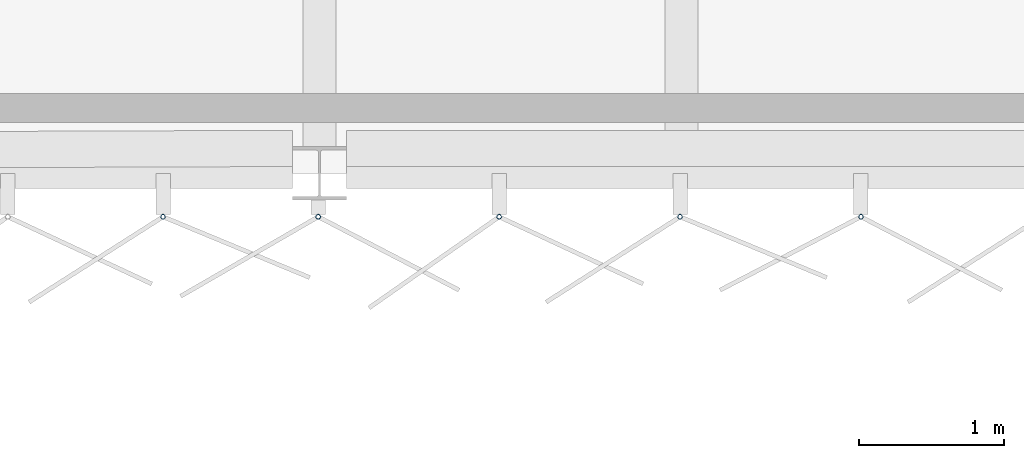
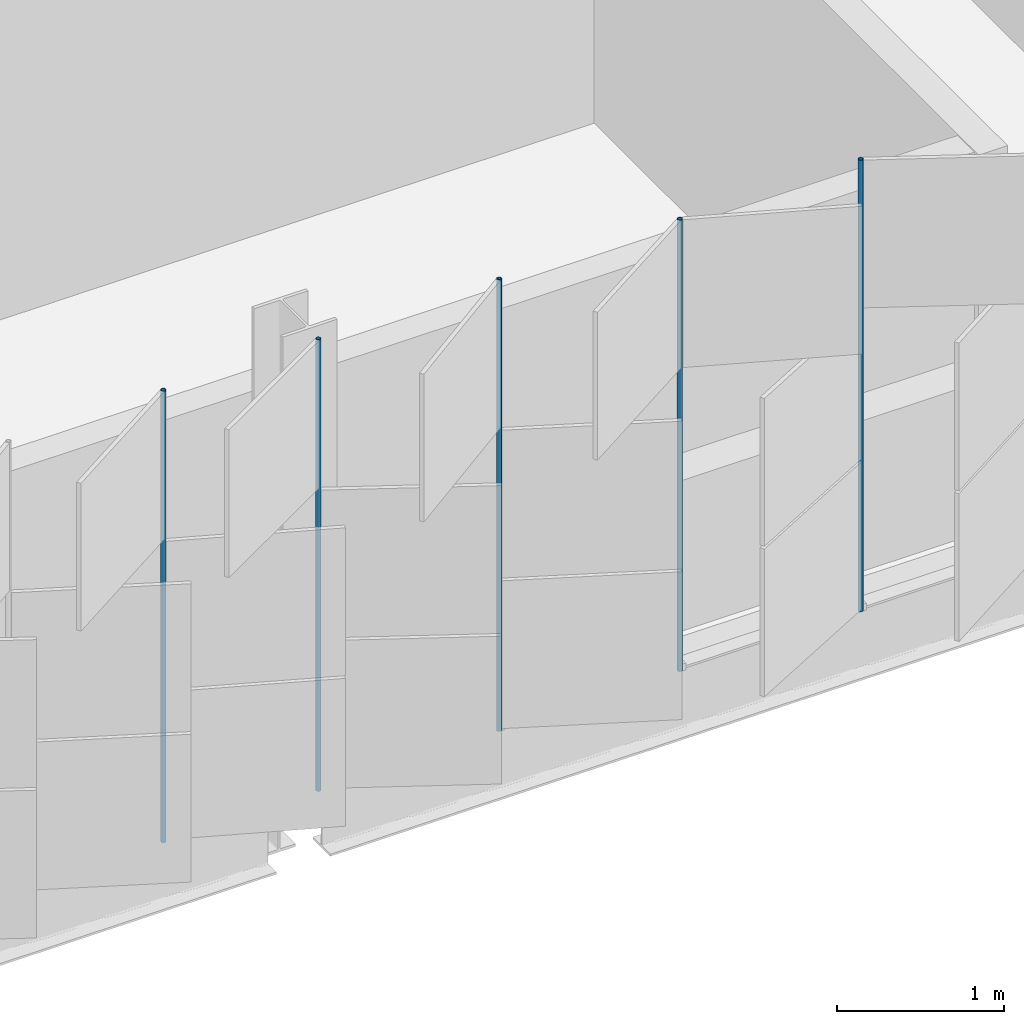
# One storey, part 81 of 198: 5 discrete accessories.
"""IFC4 building model written with IfcOpenShell, lengths in metres."""

import ifcopenshell
import ifcopenshell.guid

model = None  # the IFC model being written
_history = None  # IfcOwnerHistory: only IFC2X3 demands one
_inside = {}  # id of a spatial element -> (the spatial element, [elements in it])
_under = {}  # id of a project, library or spatial element -> (it, [spatial elements below it])
_declared = {}  # id of a project -> (the project, [libraries it declares])
_typed = {}  # id of a type object -> (the type object, [elements of that type])
_made_of = {}  # id of a material, layer set ... -> (it, [elements and type objects made of it])


def new_model(schema):
    """Start an empty IFC model of exactly this schema.

    Asked for "IFC4X3", IfcOpenShell would pick the latest addendum, in which some entities
    have other attributes; the version numbers below select the first issue.
    IFC2X3 requires an IfcOwnerHistory on every rooted entity: one is made here for all.
    """
    global model, _history
    if schema == "IFC4X3":
        model = ifcopenshell.file(schema_version=(4, 3, 0, 0))
    else:
        model = ifcopenshell.file(schema=schema)
    _inside.clear()
    _under.clear()
    _declared.clear()
    _typed.clear()
    _made_of.clear()
    _history = None
    if model.schema == "IFC2X3":
        org = make("IfcOrganization", Name="unknown")
        user = make(
            "IfcPersonAndOrganization",
            ThePerson=make("IfcPerson", FamilyName="unknown"),
            TheOrganization=org,
        )
        app = make(
            "IfcApplication",
            ApplicationDeveloper=org,
            Version="unknown",
            ApplicationFullName="unknown",
            ApplicationIdentifier="unknown",
        )
        _history = make(
            "IfcOwnerHistory",
            OwningUser=user,
            OwningApplication=app,
            ChangeAction="ADDED",
            CreationDate=0,
        )
    return model


def make(cls, **values):
    """One entity of the class cls with the attributes given. An attribute that is None is left unset."""
    return model.create_entity(
        cls, **{name: value for name, value in values.items() if value is not None}
    )


def rooted(cls, **values):
    """An entity with a GlobalId (a new one), such as an element, a storey or a relation."""
    return make(cls, GlobalId=ifcopenshell.guid.new(), OwnerHistory=_history, **values)


def si_unit(unit_type, name, prefix=None):
    """IfcSIUnit, for example si_unit("LENGTHUNIT", "METRE", prefix="MILLI")."""
    return make("IfcSIUnit", UnitType=unit_type, Prefix=prefix, Name=name)


def assignment(units):
    """IfcUnitAssignment: the units of a project."""
    return None if units is None else make("IfcUnitAssignment", Units=units)


def point(xyz):
    """IfcCartesianPoint."""
    return None if xyz is None else make("IfcCartesianPoint", Coordinates=xyz)


def direction(xyz):
    """IfcDirection."""
    return None if xyz is None else make("IfcDirection", DirectionRatios=xyz)


def frame(location, z_axis=None, x_axis=None):
    """IfcAxis2Placement3D, a coordinate frame: its origin and axes. An axis left out is left unset."""
    return make(
        "IfcAxis2Placement3D",
        Location=point(location),
        Axis=direction(z_axis),
        RefDirection=direction(x_axis),
    )


def frame_2d(location, x_axis=None):
    """IfcAxis2Placement2D, a coordinate frame in the plane: its origin and x axis."""
    return make(
        "IfcAxis2Placement2D", Location=point(location), RefDirection=direction(x_axis)
    )


def origin():
    """The frame at (0, 0, 0) with its axes left unset."""
    return frame((0.0, 0.0, 0.0))


def origin_2d():
    """The frame at (0, 0) in the plane with its x axis left unset."""
    return frame_2d((0.0, 0.0))


def place(relative_to, where):
    """IfcLocalPlacement: puts the frame where relative to a parent placement (None: the world)."""
    return make(
        "IfcLocalPlacement", PlacementRelTo=relative_to, RelativePlacement=where
    )


def context(
    kind, dimensions, precision=None, world=None, true_north=None, identifier=None
):
    """IfcGeometricRepresentationContext, for example the 3D "Model" context."""
    return make(
        "IfcGeometricRepresentationContext",
        ContextIdentifier=identifier,
        ContextType=kind,
        CoordinateSpaceDimension=dimensions,
        Precision=precision,
        WorldCoordinateSystem=world,
        TrueNorth=true_north,
    )


def subcontext(parent, identifier, kind, view, scale=None):
    """IfcGeometricRepresentationSubContext, for example "Body" below "Model"."""
    return make(
        "IfcGeometricRepresentationSubContext",
        ContextIdentifier=identifier,
        ContextType=kind,
        ParentContext=parent,
        TargetScale=scale,
        TargetView=view,
    )


def project(units=None, contexts=None):
    """IfcProject with its units and contexts."""
    return rooted(
        "IfcProject",
        Name="project",
        RepresentationContexts=contexts,
        UnitsInContext=assignment(units),
    )


def spatial(cls, under=None, at=None, **own):
    """A site, building, storey or space (cls), placed at a placement, below another one or the project."""
    s = rooted(cls, ObjectPlacement=at, **own)
    if under is not None:
        _under.setdefault(under.id(), (under, []))[1].append(s)
    return s


def profile(cls, at=None, kind="AREA", **sizes):
    """A parametric profile (cls). Its sizes go by their IFC names, for example OverallWidth=200.0."""
    return make(cls, ProfileType=kind, Position=at, **sizes)


def hollow_circle(**sizes):
    """IfcCircleHollowProfileDef."""
    return profile("IfcCircleHollowProfileDef", **sizes)


def extrude(swept, where, along, depth):
    """IfcExtrudedAreaSolid: the profile swept, set in the frame where, extruded along a direction by depth."""
    return make(
        "IfcExtrudedAreaSolid",
        SweptArea=swept,
        Position=where,
        ExtrudedDirection=direction(along),
        Depth=depth,
    )


def shape(context_of_items, identifier, shape_type, items):
    """IfcShapeRepresentation: the items that make up one representation, for example the "Body"."""
    return make(
        "IfcShapeRepresentation",
        ContextOfItems=context_of_items,
        RepresentationIdentifier=identifier,
        RepresentationType=shape_type,
        Items=items,
    )


def material(Name=None, Category=None):
    """IfcMaterial."""
    return make("IfcMaterial", Name=Name, Category=Category)


def material_profile(
    of_material, cross_section, Name=None, Category=None, Priority=None
):
    """IfcMaterialProfile: a cross section and its material."""
    return make(
        "IfcMaterialProfile",
        Name=Name,
        Material=of_material,
        Profile=cross_section,
        Priority=Priority,
        Category=Category,
    )


def profile_set(profiles, Name=None, composite=None):
    """IfcMaterialProfileSet."""
    return make(
        "IfcMaterialProfileSet",
        Name=Name,
        MaterialProfiles=profiles,
        CompositeProfile=composite,
    )


def made_of(thing, what):
    """Note that an element or type object is made of a material, layer set ...; save() writes the relation."""
    if what is not None:
        _made_of.setdefault(what.id(), (what, []))[1].append(thing)
    return thing


def type_object(cls, material=None, **own):
    """A type object (cls), such as IfcWallType, which elements share."""
    return made_of(rooted(cls, **own), material)


def element(
    cls,
    number,
    at=None,
    inside=None,
    cuts=None,
    type_object=None,
    material=None,
    context=None,
    identifier="Body",
    shape_type=None,
    held_by="IfcProductDefinitionShape",
    body=None,
    shapes=None,
    **own,
):
    """One element of the class cls, such as IfcWall. Its Tag is "e" and its number.

    at: its placement. inside: the storey or other place that contains it. cuts: it is an
    opening in that element (IfcRelVoidsElement). A single representation is given by context,
    identifier, shape_type and body (its items); several are given by shapes. held_by: the class
    of the entity that holds the representations. save() writes the other relations.
    """
    e = rooted(cls, Tag="e%d" % number, ObjectPlacement=at, **own)
    if body is not None:
        shapes = [shape(context, identifier, shape_type, body)]
    if shapes is not None:
        e.Representation = make(held_by, Representations=shapes)
    if inside is not None:
        _inside.setdefault(inside.id(), (inside, []))[1].append(e)
    if cuts is not None:
        rooted(
            "IfcRelVoidsElement", RelatingBuildingElement=cuts, RelatedOpeningElement=e
        )
    if type_object is not None:
        _typed.setdefault(type_object.id(), (type_object, []))[1].append(e)
    return made_of(e, material)


def aggregate(whole, parts):
    """IfcRelAggregates: a whole, such as a stair, and the parts it consists of."""
    return rooted("IfcRelAggregates", RelatingObject=whole, RelatedObjects=parts)


def save(model, path):
    """Write the relations noted so far, then the file.

    IfcRelAggregates (storeys below a building ...), IfcRelContainedInSpatialStructure (elements
    in a storey), IfcRelDefinesByType, IfcRelAssociatesMaterial and IfcRelDeclares: one each for
    every whole, place, type object, material and project.
    """
    for whole, parts in _under.values():
        aggregate(whole, parts)
    for where, things in _inside.values():
        rooted(
            "IfcRelContainedInSpatialStructure",
            RelatedElements=things,
            RelatingStructure=where,
        )
    for kind, things in _typed.values():
        rooted("IfcRelDefinesByType", RelatedObjects=things, RelatingType=kind)
    for what, things in _made_of.values():
        rooted("IfcRelAssociatesMaterial", RelatedObjects=things, RelatingMaterial=what)
    for by, libraries in _declared.values():
        rooted("IfcRelDeclares", RelatingContext=by, RelatedDefinitions=libraries)
    model.write(path)


model = new_model("IFC4")

# Units and contexts
model_context = context("Model", 3, precision=1e-05, world=origin(), true_north=direction((0.0, 1.0)))
body_context = subcontext(model_context, "Body", "Model", "MODEL_VIEW")
ifc_project = project(units=[si_unit("LENGTHUNIT", "METRE"), si_unit("AREAUNIT", "SQUARE_METRE"), si_unit("VOLUMEUNIT", "CUBIC_METRE"), si_unit("PLANEANGLEUNIT", "RADIAN"), si_unit("MASSUNIT", "GRAM", prefix="KILO")], contexts=[model_context])

# Site, building, storey
site_placement = place(None, origin())
site = spatial("IfcSite", under=ifc_project, at=site_placement, CompositionType="ELEMENT")
building_placement = place(site_placement, origin())
building = spatial("IfcBuilding", under=site, at=building_placement, Name="Parallax Yard Mobility Hub", CompositionType="ELEMENT")
storey_placement = place(building_placement, frame((0.0, 0.0, 6.60009765625)))
storey = spatial("IfcBuildingStorey", under=building, at=storey_placement, Name="L02", CompositionType="ELEMENT", Elevation=6.60009765625)

# Discrete accessories
ifc_material = material(Name="Steel ASTM A500 Gr C, hot-dip galvanised", Category="steel")
ifc_material_profile = material_profile(ifc_material, hollow_circle(Radius=0.016845703125, WallThickness=0.003173828125, at=origin_2d()), Name="CHS 33.7x3.2")
ifc_profile_set = profile_set([ifc_material_profile], Name="Steel ASTM A500 Gr C, hot-dip galvanised")
discrete_accessory_type = type_object("IfcDiscreteAccessoryType", Name="Hinge post CHS 33.7x3.2", PredefinedType="BRACKET", material=ifc_profile_set)
for number, where, z_axis, x_axis, name in (
    (1, (118.919921875, 112.199951171875, 0.0), (0.0, 0.0, 1.0), (1.0, 0.0, 0.0), "Hinge post bay 11.7 level L02"),
    (2, (119.991455078125, 112.199951171875, 0.0), (0.0, 0.0, 1.0), (1.0, 0.0, 0.0), "Hinge post bay 12.1 level L02"),
    (3, (121.24072265625, 112.199951171875, 0.0), (0.0, 0.0, 1.0), (1.0, 0.0, 0.0), "Hinge post bay 12.2 level L02"),
    (4, (122.489990234375, 112.199951171875, 0.0), (0.0, 0.0, 1.0), (1.0, 0.0, 0.0), "Hinge post bay 12.3 level L02"),
    (5, (123.7392578125, 112.199951171875, 0.0), (0.0, 0.0, 1.0), (1.0, 0.0, 0.0), "Hinge post bay 12.4 level L02"),
):
    element("IfcDiscreteAccessory", number, at=place(storey_placement, frame(where, z_axis=z_axis, x_axis=x_axis)), inside=storey, type_object=discrete_accessory_type, Name=name, PredefinedType="BRACKET", context=body_context, shape_type="SweptSolid", body=[
        extrude(hollow_circle(Radius=0.016845703125, WallThickness=0.003173828125, at=origin_2d()), origin(), (0.0, 0.0, 1.0), 3.2998046875),
    ])

save(model, "model.ifc")
